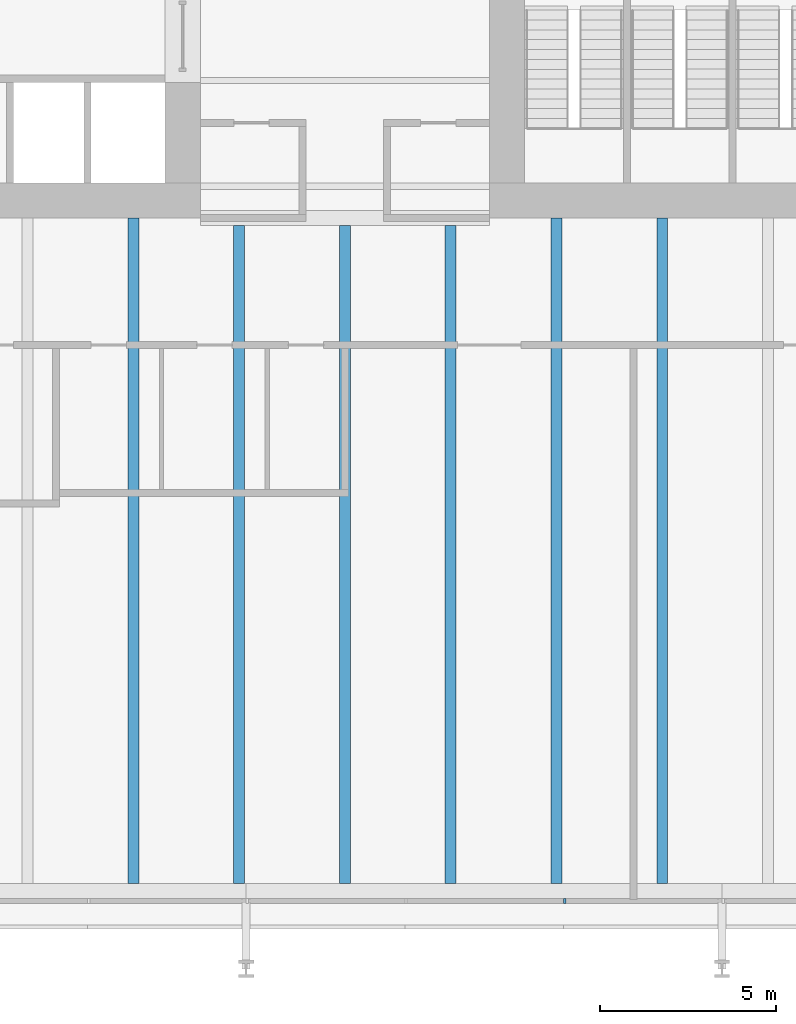
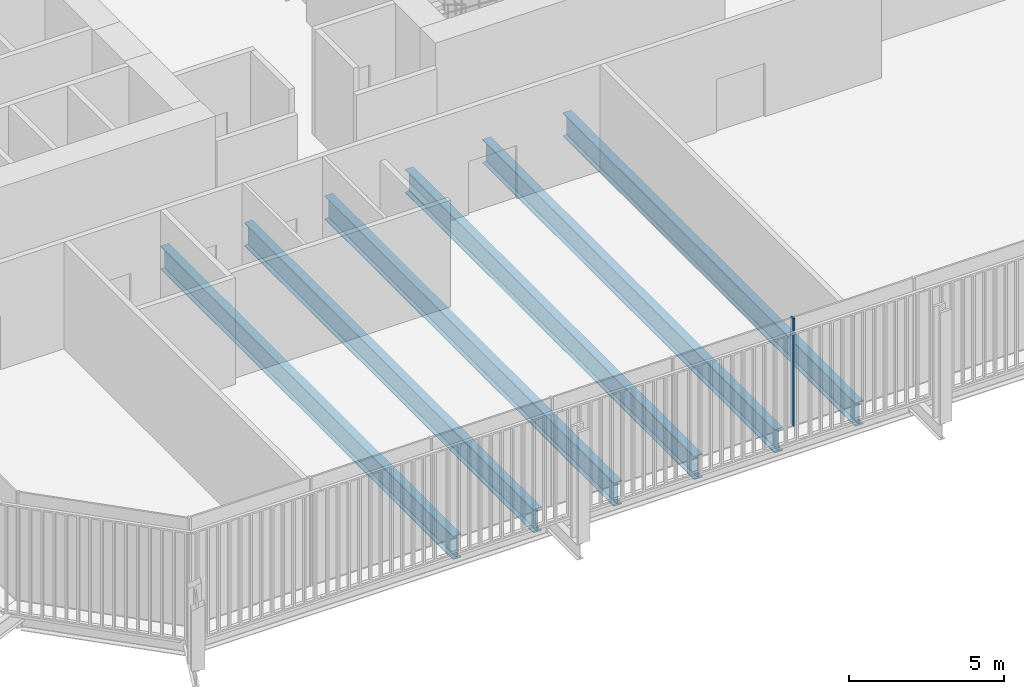
# One storey, part 4 of 20: 6 beams, 1 member, 1 element without a shape of its own.
"""IFC4 building model written with IfcOpenShell, lengths in metres."""

from ifc_helpers import new_model, si_unit, direction, frame, origin, origin_2d, place, context, subcontext, project, spatial, rectangle, i_section, extrude, material, layer, layer_set, material_profile, profile_set, type_object, element, aggregate, save


model = new_model("IFC4")

# Units and contexts
model_context = context("Model", 3, precision=1e-05, world=origin(), true_north=direction((0.0, 1.0)))
body_context = subcontext(model_context, "Body", "Model", "MODEL_VIEW")
ifc_project = project(units=[si_unit("LENGTHUNIT", "METRE"), si_unit("AREAUNIT", "SQUARE_METRE"), si_unit("VOLUMEUNIT", "CUBIC_METRE"), si_unit("PLANEANGLEUNIT", "RADIAN"), si_unit("MASSUNIT", "GRAM", prefix="KILO")], contexts=[model_context])

# Site, building, storey
site_placement = place(None, origin())
site = spatial("IfcSite", under=ifc_project, at=site_placement, CompositionType="ELEMENT")
building_placement = place(site_placement, origin())
building = spatial("IfcBuilding", under=site, at=building_placement, Name="Millrace Tower", CompositionType="ELEMENT")
storey_placement = place(building_placement, frame((0.0, 0.0, 86.39990234375)))
storey = spatial("IfcBuildingStorey", under=building, at=storey_placement, Name="L19", CompositionType="ELEMENT", Elevation=86.39990234375)

# Curtain wall, member
ifc_material_1 = material(Name="Aluminium and glass", Category="aluminium")
ifc_layer = layer(ifc_material_1, 0.14990234375)
ifc_layer_set = layer_set([ifc_layer], Name="Aluminium and glass")
curtain_wall_type = type_object("IfcCurtainWallType", Name="CW-3 telecom floor curtain wall", PredefinedType="NOTDEFINED", material=ifc_layer_set)
curtain_wall_placement = place(storey_placement, origin())
curtain_wall = element("IfcCurtainWall", 1, at=curtain_wall_placement, inside=storey, type_object=curtain_wall_type, Name="Curtain wall B-F02 L19", PredefinedType="NOTDEFINED")
ifc_material_2 = material(Name="Aluminium", Category="aluminium")
ifc_material_profile_1 = material_profile(ifc_material_2, rectangle(XDim=0.06494140625, YDim=0.14990234375, at=origin_2d()))
ifc_profile_set_1 = profile_set([ifc_material_profile_1], Name="Aluminium")
member_type = type_object("IfcMemberType", Name="CW-3 telecom floor curtain wall mullion", PredefinedType="MULLION", material=ifc_profile_set_1)
member_placement = place(storey_placement, frame((6.232421875, -29.27490234375, 0.150146484375), z_axis=(0.0, 0.0, 1.0), x_axis=(1.0, 0.0, 0.0)))
member = element("IfcMember", 2, at=member_placement, type_object=member_type, Name="CW3 mullion B-F02.6", PredefinedType="MULLION", context=body_context, shape_type="SweptSolid", body=[
    extrude(rectangle(XDim=0.06494140625, YDim=0.14990234375, at=origin_2d()), origin(), (0.0, 0.0, 1.0), 4.25),
])
aggregate(curtain_wall, [member])

# Beams
ifc_material_3 = material(Name="Steel ASTM A992 Grade 50", Category="steel")
ifc_material_profile_2 = material_profile(ifc_material_3, i_section(OverallWidth=0.307373046875, OverallDepth=0.927001953125, WebThickness=0.01953125, FlangeThickness=0.031982421875, FilletRadius=0.01904296875, at=origin_2d()))
ifc_profile_set_2 = profile_set([ifc_material_profile_2], Name="Steel ASTM A992 Grade 50")
beam_type = type_object("IfcBeamType", Name="Floor beam W36x194", PredefinedType="JOIST", material=ifc_profile_set_2)
beam_placement = place(storey_placement, frame((-6.0, -28.781005859375, -0.66357421875), z_axis=(0.0, 1.0, 0.0), x_axis=(-1.0, 0.0, 0.0)))
element("IfcBeam", 3, at=beam_placement, inside=storey, type_object=beam_type, Name="BM-B-L19-S1-S045", PredefinedType="JOIST", context=body_context, shape_type="SweptSolid", body=[
    extrude(i_section(OverallWidth=0.307373046875, OverallDepth=0.927001953125, WebThickness=0.01953125, FlangeThickness=0.031982421875, FilletRadius=0.01904296875, at=origin_2d()), origin(), (0.0, 0.0, 1.0), 18.881103515625),
])
for number, where, z_axis, x_axis, name in (
    (4, (-3.0, -28.781005859375, -0.66357421875), (0.0, 1.0, 0.0), (-1.0, 0.0, 0.0), "BM-B-L19-S1-S047"),
    (5, (0.0, -28.781005859375, -0.66357421875), (0.0, 1.0, 0.0), (-1.0, 0.0, 0.0), "BM-B-L19-S1-S049"),
    (6, (3.0, -28.781005859375, -0.66357421875), (0.0, 1.0, 0.0), (-1.0, 0.0, 0.0), "BM-B-L19-S1-S051"),
):
    element("IfcBeam", number, at=place(storey_placement, frame(where, z_axis=z_axis, x_axis=x_axis)), inside=storey, type_object=beam_type, Name=name, PredefinedType="JOIST", context=body_context, shape_type="SweptSolid", body=[
        extrude(i_section(OverallWidth=0.307373046875, OverallDepth=0.927001953125, WebThickness=0.01953125, FlangeThickness=0.031982421875, FilletRadius=0.01904296875, at=origin_2d()), origin(), (0.0, 0.0, 1.0), 18.670166015625),
    ])
for number, where, z_axis, x_axis, name in (
    (7, (6.0, -28.781005859375, -0.66357421875), (0.0, 1.0, 0.0), (-1.0, 0.0, 0.0), "BM-B-L19-S1-S053"),
    (8, (9.0, -28.781005859375, -0.66357421875), (0.0, 1.0, 0.0), (-1.0, 0.0, 0.0), "BM-B-L19-S1-S055"),
):
    element("IfcBeam", number, at=place(storey_placement, frame(where, z_axis=z_axis, x_axis=x_axis)), inside=storey, type_object=beam_type, Name=name, PredefinedType="JOIST", context=body_context, shape_type="SweptSolid", body=[
        extrude(i_section(OverallWidth=0.307373046875, OverallDepth=0.927001953125, WebThickness=0.01953125, FlangeThickness=0.031982421875, FilletRadius=0.01904296875, at=origin_2d()), origin(), (0.0, 0.0, 1.0), 18.881103515625),
    ])

save(model, "model.ifc")
